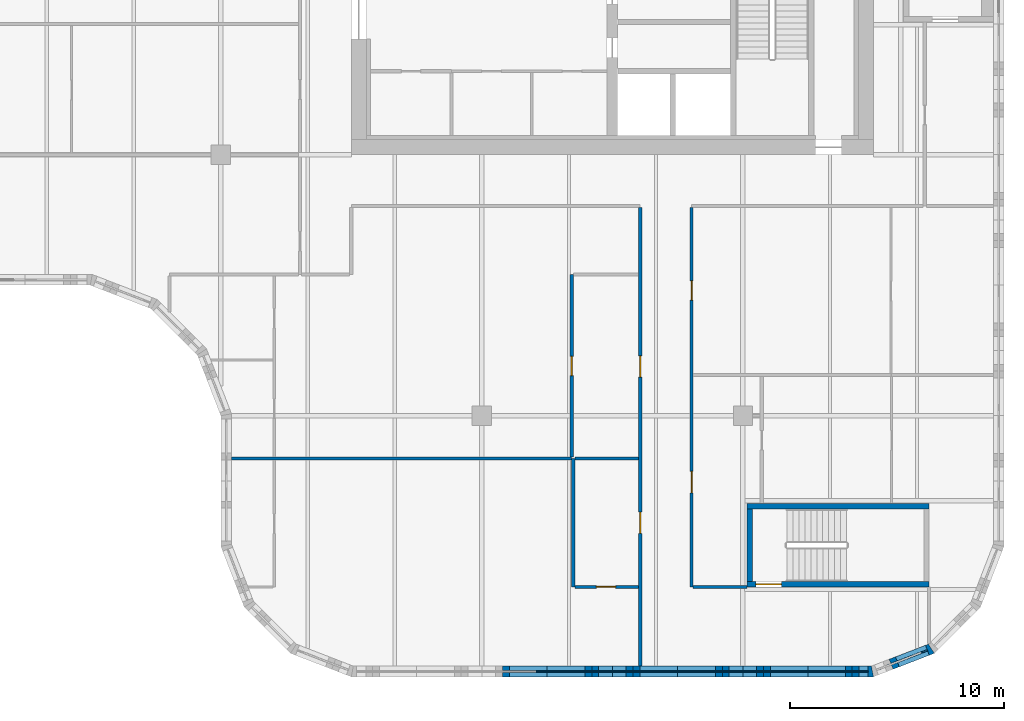
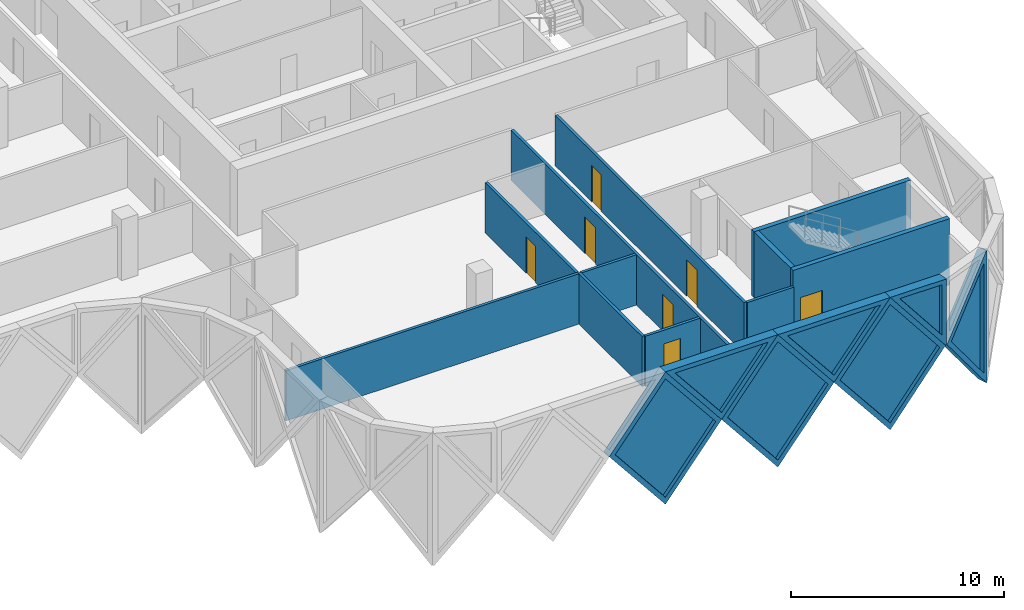
# One storey, part 6 of 15: 18 walls, 7 doors, 7 plates, 14 openings.
"""IFC4 building model written with IfcOpenShell, lengths in metres."""

from ifc_helpers import new_model, si_unit, direction, frame, frame_2d, origin, place, context, subcontext, project, spatial, polyline, rectangle, outline, extrude, faceted_brep, source, transform, mapped, material, layer, layer_set, type_object, element, fill, save


model = new_model("IFC4")

# Units and contexts
model_context = context("Model", 3, precision=1e-05, world=origin(), true_north=direction((0.0, 1.0)))
body_context = subcontext(model_context, "Body", "Model", "MODEL_VIEW")
ifc_project = project(units=[si_unit("LENGTHUNIT", "METRE"), si_unit("AREAUNIT", "SQUARE_METRE"), si_unit("VOLUMEUNIT", "CUBIC_METRE"), si_unit("PLANEANGLEUNIT", "RADIAN"), si_unit("MASSUNIT", "GRAM", prefix="KILO")], contexts=[model_context])

# Site, building, storey
site_placement = place(None, origin())
site = spatial("IfcSite", under=ifc_project, at=site_placement, CompositionType="ELEMENT")
building_placement = place(site_placement, origin())
building = spatial("IfcBuilding", under=site, at=building_placement, Name="Tessera Gate Towers", CompositionType="ELEMENT")
storey_placement = place(building_placement, frame((0.0, 0.0, 146.800048828125)))
storey = spatial("IfcBuildingStorey", under=building, at=storey_placement, Name="L36", CompositionType="ELEMENT", Elevation=146.800048828125)

# Wall, opening, door
ifc_material_1 = material(Name="Concrete C40/50", Category="concrete")
ifc_layer_1 = layer(ifc_material_1, 0.25)
ifc_layer_set_1 = layer_set([ifc_layer_1], Name="CORE ENCLOSURE WALL 250")
wall_type_1 = type_object("IfcWallType", Name="CORE ENCLOSURE WALL 250", PredefinedType="SOLIDWALL", material=ifc_layer_set_1)
wall_1_placement = place(storey_placement, frame((57.5, 4.324951171875, 0.0), z_axis=(0.0, 0.0, 1.0), x_axis=(-1.0, 0.0, 0.0)))
wall_1 = element("IfcWall", 1, at=wall_1_placement, inside=storey, type_object=wall_type_1, Name="L36 ST4 enclosure wall", PredefinedType="SOLIDWALL", context=body_context, shape_type="SweptSolid", body=[
    extrude(rectangle(XDim=8.5, YDim=0.25, at=frame_2d((4.25, 0.0))), origin(), (0.0, 0.0, 1.0), 3.800048828125),
])
shared_shape_1 = source(origin(), body_context, "Body", "SweptSolid", [
    extrude(rectangle(XDim=1.199951171875, YDim=2.10009765625, at=frame_2d((0.60009765625, 1.050048828125))), frame((0.0, 0.135009765625, 0.0), z_axis=(0.0, -1.0, 0.0), x_axis=(1.0, 0.0, 0.0)), (0.0, 0.0, 1.0), 0.27001953125),
])
opening_1_placement = place(wall_1_placement, frame((6.89990234375, 0.0, 0.0)))
opening_1 = element("IfcOpeningElement", 2, at=opening_1_placement, cuts=wall_1, Name="Opening SD-ST4-1", PredefinedType="OPENING", context=body_context, shape_type="MappedRepresentation", body=[
    mapped(shared_shape_1, transform((0.0, 0.0, 0.0), scale=1.0)),
])
ifc_material_2 = material(Name="Hollow steel fire door", Category="steel")
door_type_1 = type_object("IfcDoorType", Name="CORE DOOR SD 1200x2100", OperationType="NOTDEFINED", PredefinedType="DOOR", material=ifc_material_2)
shared_shape_2 = source(origin(), body_context, "Body", "SweptSolid", [
    extrude(rectangle(XDim=1.199951171875, YDim=2.10009765625, at=frame_2d((0.60009765625, 1.050048828125))), frame((0.0, 0.02490234375, 0.0), z_axis=(0.0, -1.0, 0.0), x_axis=(1.0, 0.0, 0.0)), (0.0, 0.0, 1.0), 0.050048828125),
])
door_1_placement = place(opening_1_placement, origin())
door_1 = element("IfcDoor", 3, at=door_1_placement, inside=storey, type_object=door_type_1, Name="Stair door", OperationType="SINGLE_SWING_RIGHT", OverallHeight=2.10009765625, OverallWidth=1.199951171875, PredefinedType="DOOR", context=body_context, shape_type="MappedRepresentation", body=[
    mapped(shared_shape_2, transform((0.0, 0.0, 0.0), scale=1.0)),
])
fill(opening_1, door_1)

# Walls
wall_2_placement = place(storey_placement, frame((49.125, 4.449951171875, 0.0), z_axis=(0.0, 0.0, 1.0), x_axis=(0.0, 1.0, 0.0)))
element("IfcWall", 4, at=wall_2_placement, inside=storey, type_object=wall_type_1, Name="L36 ST4 enclosure wall", PredefinedType="SOLIDWALL", context=body_context, shape_type="SweptSolid", body=[
    extrude(rectangle(XDim=3.400146484375, YDim=0.25, at=frame_2d((1.7001953125, 0.0))), origin(), (0.0, 0.0, 1.0), 3.800048828125),
])
wall_3_placement = place(storey_placement, frame((49.0, 7.97509765625, 0.0), z_axis=(0.0, 0.0, 1.0), x_axis=(1.0, 0.0, 0.0)))
element("IfcWall", 5, at=wall_3_placement, inside=storey, type_object=wall_type_1, Name="L36 ST4 enclosure wall", PredefinedType="SOLIDWALL", context=body_context, shape_type="SweptSolid", body=[
    extrude(rectangle(XDim=8.5, YDim=0.25, at=frame_2d((4.25, 0.0))), origin(), (0.0, 0.0, 1.0), 3.800048828125),
])

# Wall, openings, doors
ifc_material_3 = material(Name="Gypsum board on steel studs, mineral wool", Category="steel")
ifc_layer_2 = layer(ifc_material_3, 0.14990234375)
ifc_layer_set_2 = layer_set([ifc_layer_2], Name="CORRIDOR WALL 150")
wall_type_2 = type_object("IfcWallType", Name="CORRIDOR WALL 150", PredefinedType="PARTITIONING", material=ifc_layer_set_2)
wall_4_placement = place(storey_placement, frame((44.0, 0.5, 0.0), z_axis=(0.0, 0.0, 1.0), x_axis=(0.0, 1.0, 0.0)))
wall_4 = element("IfcWall", 6, at=wall_4_placement, inside=storey, type_object=wall_type_2, Name="T1-L36-PW-001", PredefinedType="PARTITIONING", context=body_context, shape_type="SweptSolid", body=[
    extrude(rectangle(XDim=21.424072265625, YDim=0.14990234375, at=frame_2d((10.7119140625, 0.0))), origin(), (0.0, 0.0, 1.0), 2.887939453125),
])
shared_shape_3 = source(origin(), body_context, "Body", "SweptSolid", [
    extrude(rectangle(XDim=1.0, YDim=2.10009765625, at=frame_2d((0.5, 1.050048828125))), frame((0.0, 0.0849609375, 0.0), z_axis=(0.0, -1.0, 0.0), x_axis=(1.0, 0.0, 0.0)), (0.0, 0.0, 1.0), 0.169921875),
])
opening_2_placement = place(wall_4_placement, frame((6.199951171875, 0.0, 0.0)))
opening_2 = element("IfcOpeningElement", 7, at=opening_2_placement, cuts=wall_4, Name="Opening D2100FD60-A13-02", PredefinedType="OPENING", context=body_context, shape_type="MappedRepresentation", body=[
    mapped(shared_shape_3, transform((0.0, 0.0, 0.0), scale=1.0)),
])
opening_3_placement = place(wall_4_placement, frame((13.5, 0.0, 0.0)))
opening_3 = element("IfcOpeningElement", 8, at=opening_3_placement, cuts=wall_4, Name="Opening D2100FD60-A13-05", PredefinedType="OPENING", context=body_context, shape_type="MappedRepresentation", body=[
    mapped(shared_shape_3, transform((0.0, 0.0, 0.0), scale=1.0)),
])
ifc_material_4 = material(Name="Timber door leaf in steel frame", Category="steel")
door_type_2 = type_object("IfcDoorType", Name="TENANCY ENTRANCE DOOR 1000 FD60", OperationType="NOTDEFINED", PredefinedType="DOOR", material=ifc_material_4)
shared_shape_4 = source(origin(), body_context, "Body", "SweptSolid", [
    extrude(rectangle(XDim=1.0, YDim=2.10009765625, at=frame_2d((0.5, 1.050048828125))), frame((0.0, 0.02490234375, 0.0), z_axis=(0.0, -1.0, 0.0), x_axis=(1.0, 0.0, 0.0)), (0.0, 0.0, 1.0), 0.050048828125),
])
door_2_placement = place(opening_2_placement, origin())
door_2 = element("IfcDoor", 9, at=door_2_placement, inside=storey, type_object=door_type_2, Name="T1-L36-PD-014", OperationType="SINGLE_SWING_LEFT", OverallHeight=2.10009765625, OverallWidth=1.0, PredefinedType="DOOR", context=body_context, shape_type="MappedRepresentation", body=[
    mapped(shared_shape_4, transform((0.0, 0.0, 0.0), scale=1.0)),
])
fill(opening_2, door_2)
door_3_placement = place(opening_3_placement, origin())
door_3 = element("IfcDoor", 10, at=door_3_placement, inside=storey, type_object=door_type_2, Name="T1-L36-PD-022", OperationType="SINGLE_SWING_LEFT", OverallHeight=2.10009765625, OverallWidth=1.0, PredefinedType="DOOR", context=body_context, shape_type="MappedRepresentation", body=[
    mapped(shared_shape_4, transform((0.0, 0.0, 0.0), scale=1.0)),
])
fill(opening_3, door_3)

wall_5_placement = place(storey_placement, frame((46.39990234375, 21.924072265625, 0.0), z_axis=(0.0, 0.0, 1.0), x_axis=(0.0, -1.0, 0.0)))
wall_5 = element("IfcWall", 11, at=wall_5_placement, inside=storey, type_object=wall_type_2, Name="T1-L36-PW-007", PredefinedType="PARTITIONING", context=body_context, shape_type="SweptSolid", body=[
    extrude(rectangle(XDim=17.72412109375, YDim=0.14990234375, at=frame_2d((8.862060546875, 0.0))), origin(), (0.0, 0.0, 1.0), 2.887939453125),
])
shared_shape_5 = source(origin(), body_context, "Body", "SweptSolid", [
    extrude(rectangle(XDim=0.89990234375, YDim=2.10009765625, at=frame_2d((0.449951171875, 1.050048828125))), frame((0.0, 0.0849609375, 0.0), z_axis=(0.0, -1.0, 0.0), x_axis=(1.0, 0.0, 0.0)), (0.0, 0.0, 1.0), 0.169921875),
])
opening_4_placement = place(wall_5_placement, frame((3.423095703125, 0.0, 0.0)))
opening_4 = element("IfcOpeningElement", 12, at=opening_4_placement, cuts=wall_5, Name="Opening D890FD60-A13-03", PredefinedType="OPENING", context=body_context, shape_type="MappedRepresentation", body=[
    mapped(shared_shape_5, transform((0.0, 0.0, 0.0), scale=1.0)),
])
opening_5_placement = place(wall_5_placement, frame((12.323974609375, 0.0, 0.0)))
opening_5 = element("IfcOpeningElement", 13, at=opening_5_placement, cuts=wall_5, Name="Opening D2100FD60-A13-06", PredefinedType="OPENING", context=body_context, shape_type="MappedRepresentation", body=[
    mapped(shared_shape_3, transform((0.0, 0.0, 0.0), scale=1.0)),
])
ifc_material_5 = material(Name="Timber door leaf in steel frame", Category="steel")
door_type_3 = type_object("IfcDoorType", Name="CORRIDOR DOOR 900 FD60", OperationType="NOTDEFINED", PredefinedType="DOOR", material=ifc_material_5)
shared_shape_6 = source(origin(), body_context, "Body", "SweptSolid", [
    extrude(rectangle(XDim=0.89990234375, YDim=2.10009765625, at=frame_2d((0.449951171875, 1.050048828125))), frame((0.0, 0.02490234375, 0.0), z_axis=(0.0, -1.0, 0.0), x_axis=(1.0, 0.0, 0.0)), (0.0, 0.0, 1.0), 0.050048828125),
])
door_4_placement = place(opening_4_placement, origin())
door_4 = element("IfcDoor", 14, at=door_4_placement, inside=storey, type_object=door_type_3, Name="T1-L36-PD-019", OperationType="SINGLE_SWING_RIGHT", OverallHeight=2.10009765625, OverallWidth=0.89990234375, PredefinedType="DOOR", context=body_context, shape_type="MappedRepresentation", body=[
    mapped(shared_shape_6, transform((0.0, 0.0, 0.0), scale=1.0)),
])
fill(opening_4, door_4)
door_5_placement = place(opening_5_placement, origin())
door_5 = element("IfcDoor", 15, at=door_5_placement, inside=storey, type_object=door_type_2, Name="T1-L36-PD-025", OperationType="SINGLE_SWING_RIGHT", OverallHeight=2.10009765625, OverallWidth=1.0, PredefinedType="DOOR", context=body_context, shape_type="MappedRepresentation", body=[
    mapped(shared_shape_4, transform((0.0, 0.0, 0.0), scale=1.0)),
])
fill(opening_5, door_5)

# Walls
wall_6_placement = place(storey_placement, frame((46.47607421875, 4.199951171875, 0.0), z_axis=(0.0, 0.0, 1.0), x_axis=(1.0, 0.0, 0.0)))
element("IfcWall", 16, at=wall_6_placement, inside=storey, type_object=wall_type_2, Name="T1-L36-PW-008", PredefinedType="PARTITIONING", context=body_context, shape_type="SweptSolid", body=[
    extrude(rectangle(XDim=2.52392578125, YDim=0.14990234375, at=frame_2d((1.261962890625, 0.0))), origin(), (0.0, 0.0, 1.0), 2.887939453125),
])
ifc_material_6 = material(Name="Gypsum board on steel studs, mineral wool", Category="steel")
ifc_layer_3 = layer(ifc_material_6, 0.14990234375)
ifc_layer_set_3 = layer_set([ifc_layer_3], Name="TENANCY WALL 150")
wall_type_3 = type_object("IfcWallType", Name="TENANCY WALL 150", PredefinedType="PARTITIONING", material=ifc_layer_set_3)
wall_7_placement = place(storey_placement, frame((40.875, 4.199951171875, 0.0), z_axis=(0.0, 0.0, 1.0), x_axis=(0.0, 1.0, 0.0)))
element("IfcWall", 17, at=wall_7_placement, inside=storey, type_object=wall_type_3, Name="T1-L36-PW-005", PredefinedType="PARTITIONING", context=body_context, shape_type="SweptSolid", body=[
    extrude(rectangle(XDim=6.0, YDim=0.14990234375, at=frame_2d((3.0, 0.0))), origin(), (0.0, 0.0, 1.0), 2.887939453125),
])

# Wall, opening, door
wall_8_placement = place(storey_placement, frame((43.924072265625, 4.199951171875, 0.0), z_axis=(0.0, 0.0, 1.0), x_axis=(-1.0, 0.0, 0.0)))
wall_8 = element("IfcWall", 18, at=wall_8_placement, inside=storey, type_object=wall_type_3, Name="T1-L36-PW-006", PredefinedType="PARTITIONING", context=body_context, shape_type="SweptSolid", body=[
    extrude(rectangle(XDim=2.97314453125, YDim=0.14990234375, at=frame_2d((1.486572265625, 0.0))), origin(), (0.0, 0.0, 1.0), 2.887939453125),
])
opening_6_placement = place(wall_8_placement, frame((1.072998046875, 0.0, 0.0)))
opening_6 = element("IfcOpeningElement", 19, at=opening_6_placement, cuts=wall_8, Name="Opening D190-A13-10", PredefinedType="OPENING", context=body_context, shape_type="MappedRepresentation", body=[
    mapped(shared_shape_5, transform((0.0, 0.0, 0.0), scale=1.0)),
])
ifc_material_7 = material(Name="Timber door leaf in steel frame", Category="steel")
door_type_4 = type_object("IfcDoorType", Name="INTERNAL DOOR 900 NOT RATED", OperationType="NOTDEFINED", PredefinedType="DOOR", material=ifc_material_7)
door_6_placement = place(opening_6_placement, origin())
door_6 = element("IfcDoor", 20, at=door_6_placement, inside=storey, type_object=door_type_4, Name="T1-L36-PD-023", OperationType="SINGLE_SWING_RIGHT", OverallHeight=2.10009765625, OverallWidth=0.89990234375, PredefinedType="DOOR", context=body_context, shape_type="MappedRepresentation", body=[
    mapped(shared_shape_6, transform((0.0, 0.0, 0.0), scale=1.0)),
])
fill(opening_6, door_6)

# Walls
wall_9_placement = place(storey_placement, frame((24.89990234375, 10.199951171875, 0.0), z_axis=(0.0, 0.0, 1.0), x_axis=(1.0, 0.0, 0.0)))
element("IfcWall", 21, at=wall_9_placement, inside=storey, type_object=wall_type_3, Name="T1-L36-PW-011", PredefinedType="PARTITIONING", context=body_context, shape_type="SweptSolid", body=[
    extrude(rectangle(XDim=15.900146484375, YDim=0.14990234375, at=frame_2d((7.9501953125, 0.0))), origin(), (0.0, 0.0, 1.0), 2.887939453125),
])
wall_10_placement = place(storey_placement, frame((40.950927734375, 10.199951171875, 0.0), z_axis=(0.0, 0.0, 1.0), x_axis=(1.0, 0.0, 0.0)))
element("IfcWall", 22, at=wall_10_placement, inside=storey, type_object=wall_type_3, Name="T1-L36-PW-012", PredefinedType="PARTITIONING", context=body_context, shape_type="SweptSolid", body=[
    extrude(rectangle(XDim=2.97314453125, YDim=0.14990234375, at=frame_2d((1.486572265625, 0.0))), origin(), (0.0, 0.0, 1.0), 2.887939453125),
])

# Wall, opening, door
wall_11_placement = place(storey_placement, frame((40.800048828125, 10.27587890625, 0.0), z_axis=(0.0, 0.0, 1.0), x_axis=(0.0, 1.0, 0.0)))
wall_11 = element("IfcWall", 23, at=wall_11_placement, inside=storey, type_object=wall_type_3, Name="T1-L36-PW-014", PredefinedType="PARTITIONING", context=body_context, shape_type="SweptSolid", body=[
    extrude(rectangle(XDim=8.524169921875, YDim=0.14990234375, at=frame_2d((4.26220703125, 0.0))), origin(), (0.0, 0.0, 1.0), 2.887939453125),
])
opening_7_placement = place(wall_11_placement, frame((3.800048828125, 0.0, 0.0)))
opening_7 = element("IfcOpeningElement", 24, at=opening_7_placement, cuts=wall_11, Name="Opening D190-A13-11", PredefinedType="OPENING", context=body_context, shape_type="MappedRepresentation", body=[
    mapped(shared_shape_5, transform((0.0, 0.0, 0.0), scale=1.0)),
])
door_7_placement = place(opening_7_placement, origin())
door_7 = element("IfcDoor", 25, at=door_7_placement, inside=storey, type_object=door_type_4, Name="T1-L36-PD-027", OperationType="SINGLE_SWING_LEFT", OverallHeight=2.10009765625, OverallWidth=0.89990234375, PredefinedType="DOOR", context=body_context, shape_type="MappedRepresentation", body=[
    mapped(shared_shape_6, transform((0.0, 0.0, 0.0), scale=1.0)),
])
fill(opening_7, door_7)

# Wall, opening, plate
ifc_material_8 = material(Name="Precast concrete C60/75 white", Category="concrete")
ifc_layer_4 = layer(ifc_material_8, 0.5)
ifc_layer_set_4 = layer_set([ifc_layer_4], Name="TS1 tessera")
wall_type_4 = type_object("IfcWallType", Name="TS1 tessera", PredefinedType="SOLIDWALL", material=ifc_layer_set_4)
shared_shape_7 = source(origin(), body_context, "Body", "Brep", [
    faceted_brep([(3.050048828125, -0.25, 0.0), (6.099853515625, -0.25, 3.7998046875), (6.099853515625, -0.25, 3.80029296875), (3.050048828125, -0.25, 7.60009765625), (0.0, -0.25, 3.800048828125), (0.0, 0.25, 3.800048828125), (3.050048828125, 0.25, 7.60009765625), (6.099853515625, 0.25, 3.80029296875), (6.099853515625, 0.25, 3.7998046875), (3.050048828125, 0.25, 0.0)], [[[0, 1, 2, 3, 4]], [[5, 6, 7, 8, 9]], [[9, 8, 1, 0]], [[7, 6, 3, 2]], [[6, 5, 4, 3]], [[5, 9, 0, 4]], [[1, 8, 7, 2]]]),
])
wall_12_placement = place(storey_placement, frame((36.60009765625, 0.25, -3.800048828125), z_axis=(0.0, 0.0, 1.0), x_axis=(1.0, 0.0, 0.0)))
wall_12 = element("IfcWall", 26, at=wall_12_placement, inside=storey, type_object=wall_type_4, Name="Precast tessera T1 TS1-0622", PredefinedType="SOLIDWALL", context=body_context, shape_type="MappedRepresentation", body=[
    mapped(shared_shape_7, transform((0.0, 0.0, 0.0), scale=1.0)),
])
shared_shape_8 = source(origin(), body_context, "Body", "SweptSolid", [
    extrude(outline(polyline([(3.050048828125, 0.3994140625), (5.779541015625, 3.800048828125), (3.050048828125, 7.20068359375), (0.320556640625, 3.800048828125), (3.050048828125, 0.3994140625)])), frame((0.0, 0.260009765625, 0.0), z_axis=(0.0, -1.0, 0.0), x_axis=(1.0, 0.0, 0.0)), (0.0, 0.0, 1.0), 0.52001953125),
])
opening_8_placement = place(wall_12_placement, origin())
opening_8 = element("IfcOpeningElement", 27, at=opening_8_placement, cuts=wall_12, Name="Opening T1-PL2-1270", PredefinedType="OPENING", context=body_context, shape_type="MappedRepresentation", body=[
    mapped(shared_shape_8, transform((0.0, 0.0, 0.0), scale=1.0)),
])
ifc_material_9 = material(Name="Low-e laminated glass", Category="glass")
ifc_layer_5 = layer(ifc_material_9, 0.06005859375)
ifc_layer_set_5 = layer_set([ifc_layer_5], Name="PL2 rhombic pane")
plate_type_1 = type_object("IfcPlateType", Name="PL2 rhombic pane", PredefinedType="SHEET", material=ifc_layer_set_5)
shared_shape_9 = source(origin(), body_context, "Body", "SweptSolid", [
    extrude(outline(polyline([(3.050048828125, 0.3994140625), (5.779541015625, 3.800048828125), (3.050048828125, 7.20068359375), (0.320556640625, 3.800048828125), (3.050048828125, 0.3994140625)])), frame((0.0, 0.030029296875, 0.0), z_axis=(0.0, -1.0, 0.0), x_axis=(1.0, 0.0, 0.0)), (0.0, 0.0, 1.0), 0.06005859375),
])
plate_1_placement = place(opening_8_placement, origin())
plate_1 = element("IfcPlate", 28, at=plate_1_placement, inside=storey, type_object=plate_type_1, Name="Glass pane T1 PL2-1270", PredefinedType="SHEET", context=body_context, shape_type="MappedRepresentation", body=[
    mapped(shared_shape_9, transform((0.0, 0.0, 0.0), scale=1.0)),
])
fill(opening_8, plate_1)

shared_shape_10 = source(origin(), body_context, "Body", "SweptSolid", [
    extrude(outline(polyline([(3.050048828125, 0.0), (6.10009765625, 3.800048828125), (3.050048828125, 7.60009765625), (0.0, 3.800048828125), (3.050048828125, 0.0)])), frame((0.0, 0.25, 0.0), z_axis=(0.0, -1.0, 0.0), x_axis=(1.0, 0.0, 0.0)), (0.0, 0.0, 1.0), 0.5),
])
wall_13_placement = place(storey_placement, frame((42.699951171875, 0.25, -3.800048828125), z_axis=(0.0, 0.0, 1.0), x_axis=(1.0, 0.0, 0.0)))
wall_13 = element("IfcWall", 29, at=wall_13_placement, inside=storey, type_object=wall_type_4, Name="Precast tessera T1 TS1-0623", PredefinedType="SOLIDWALL", context=body_context, shape_type="MappedRepresentation", body=[
    mapped(shared_shape_10, transform((0.0, 0.0, 0.0), scale=1.0)),
])
opening_9_placement = place(wall_13_placement, origin())
opening_9 = element("IfcOpeningElement", 30, at=opening_9_placement, cuts=wall_13, Name="Opening T1-PL2-1271", PredefinedType="OPENING", context=body_context, shape_type="MappedRepresentation", body=[
    mapped(shared_shape_8, transform((0.0, 0.0, 0.0), scale=1.0)),
])
plate_2_placement = place(opening_9_placement, origin())
plate_2 = element("IfcPlate", 31, at=plate_2_placement, inside=storey, type_object=plate_type_1, Name="Glass pane T1 PL2-1271", PredefinedType="SHEET", context=body_context, shape_type="MappedRepresentation", body=[
    mapped(shared_shape_9, transform((0.0, 0.0, 0.0), scale=1.0)),
])
fill(opening_9, plate_2)

shared_shape_11 = source(origin(), body_context, "Body", "Brep", [
    faceted_brep([(3.050048828125, -0.25, 0.0), (6.053466796875, -0.25, 3.800048828125), (3.050048828125, -0.25, 7.60009765625), (0.0, -0.25, 3.800048828125), (0.0, 0.25, 3.800048828125), (3.050048828125, 0.25, 7.60009765625), (6.0068359375, 0.25, 3.85888671875), (6.0068359375, 0.25, 3.7412109375), (3.050048828125, 0.25, 0.0), (6.053466796875, 0.0, 3.800048828125)], [[[0, 1, 2, 3]], [[4, 5, 6, 7, 8]], [[8, 7, 9, 1, 0]], [[6, 5, 2, 1, 9]], [[5, 4, 3, 2]], [[4, 8, 0, 3]], [[9, 7, 6]]]),
])
wall_14_placement = place(storey_placement, frame((48.800048828125, 0.25, -3.800048828125), z_axis=(0.0, 0.0, 1.0), x_axis=(1.0, 0.0, 0.0)))
wall_14 = element("IfcWall", 32, at=wall_14_placement, inside=storey, type_object=wall_type_4, Name="Precast tessera T1 TS1-0624", PredefinedType="SOLIDWALL", context=body_context, shape_type="MappedRepresentation", body=[
    mapped(shared_shape_11, transform((0.0, 0.0, 0.0), scale=1.0)),
])
shared_shape_12 = source(origin(), body_context, "Body", "SweptSolid", [
    extrude(outline(polyline([(3.048583984375, 0.4013671875), (5.73486328125, 3.800048828125), (3.048583984375, 7.19873046875), (0.320556640625, 3.800048828125), (3.048583984375, 0.4013671875)])), frame((0.0, 0.260009765625, 0.0), z_axis=(0.0, -1.0, 0.0), x_axis=(1.0, 0.0, 0.0)), (0.0, 0.0, 1.0), 0.52001953125),
])
opening_10_placement = place(wall_14_placement, origin())
opening_10 = element("IfcOpeningElement", 33, at=opening_10_placement, cuts=wall_14, Name="Opening T1-PL2-1272", PredefinedType="OPENING", context=body_context, shape_type="MappedRepresentation", body=[
    mapped(shared_shape_12, transform((0.0, 0.0, 0.0), scale=1.0)),
])
shared_shape_13 = source(origin(), body_context, "Body", "SweptSolid", [
    extrude(outline(polyline([(3.048583984375, 0.4013671875), (5.73486328125, 3.800048828125), (3.048583984375, 7.19873046875), (0.320556640625, 3.800048828125), (3.048583984375, 0.4013671875)])), frame((0.0, 0.030029296875, 0.0), z_axis=(0.0, -1.0, 0.0), x_axis=(1.0, 0.0, 0.0)), (0.0, 0.0, 1.0), 0.06005859375),
])
plate_3_placement = place(opening_10_placement, origin())
plate_3 = element("IfcPlate", 34, at=plate_3_placement, inside=storey, type_object=plate_type_1, Name="Glass pane T1 PL2-1272", PredefinedType="SHEET", context=body_context, shape_type="MappedRepresentation", body=[
    mapped(shared_shape_13, transform((0.0, 0.0, 0.0), scale=1.0)),
])
fill(opening_10, plate_3)

ifc_material_10 = material(Name="Precast concrete C60/75 white", Category="concrete")
ifc_layer_6 = layer(ifc_material_10, 0.5)
ifc_layer_set_6 = layer_set([ifc_layer_6], Name="TS3 corner tessera")
wall_type_5 = type_object("IfcWallType", Name="TS3 corner tessera", PredefinedType="SOLIDWALL", material=ifc_layer_set_6)
shared_shape_14 = source(origin(), body_context, "Body", "Brep", [
    faceted_brep([(2.950439453125, -0.25, 0.0), (3.00341796875, -0.25, 0.068359375), (3.00341796875, -0.25, 7.53173828125), (2.950439453125, -0.25, 7.60009765625), (0.0, -0.25, 3.800048828125), (0.046630859375, 0.25, 3.860107421875), (2.897705078125, 0.25, 7.531982421875), (2.897705078125, 0.25, 0.068115234375), (0.046630859375, 0.25, 3.739990234375), (2.950439453125, 0.00048828125, 0.0), (2.950439453125, 0.00048828125, 7.60009765625), (0.0, 0.0, 3.800048828125)], [[[0, 1, 2, 3, 4]], [[5, 6, 7, 8]], [[1, 0, 9]], [[10, 3, 2]], [[6, 5, 11, 4, 3, 10]], [[8, 7, 9, 0, 4, 11]], [[8, 11, 5]], [[1, 9, 7, 6, 10, 2]]]),
])
wall_15_placement = place(storey_placement, frame((54.853515625, 0.25, -3.800048828125), z_axis=(0.0, 0.0, 1.0), x_axis=(0.932970071518, 0.359953949349, 0.0)))
wall_15 = element("IfcWall", 35, at=wall_15_placement, inside=storey, type_object=wall_type_5, Name="Precast corner tessera T1 TS3-0817", PredefinedType="SOLIDWALL", context=body_context, shape_type="MappedRepresentation", body=[
    mapped(shared_shape_14, transform((0.0, 0.0, 0.0), scale=1.0)),
])
shared_shape_15 = source(origin(), body_context, "Body", "SweptSolid", [
    extrude(outline(polyline([(2.75048828125, 6.934814453125), (0.31640625, 3.800048828125), (2.75048828125, 0.665283203125), (2.75048828125, 6.934814453125)])), frame((0.0, 0.260009765625, 0.0), z_axis=(0.0, -1.0, 0.0), x_axis=(1.0, 0.0, 0.0)), (0.0, 0.0, 1.0), 0.52001953125),
])
opening_11_placement = place(wall_15_placement, origin())
opening_11 = element("IfcOpeningElement", 36, at=opening_11_placement, cuts=wall_15, Name="Opening T1-PL2-1273", PredefinedType="OPENING", context=body_context, shape_type="MappedRepresentation", body=[
    mapped(shared_shape_15, transform((0.0, 0.0, 0.0), scale=1.0)),
])
shared_shape_16 = source(origin(), body_context, "Body", "SweptSolid", [
    extrude(outline(polyline([(2.75048828125, 6.934814453125), (0.31640625, 3.800048828125), (2.75048828125, 0.665283203125), (2.75048828125, 6.934814453125)])), frame((0.0, 0.030029296875, 0.0), z_axis=(0.0, -1.0, 0.0), x_axis=(1.0, 0.0, 0.0)), (0.0, 0.0, 1.0), 0.06005859375),
])
plate_4_placement = place(opening_11_placement, origin())
plate_4 = element("IfcPlate", 37, at=plate_4_placement, inside=storey, type_object=plate_type_1, Name="Glass pane T1 PL2-1273", PredefinedType="SHEET", context=body_context, shape_type="MappedRepresentation", body=[
    mapped(shared_shape_16, transform((0.0, 0.0, 0.0), scale=1.0)),
])
fill(opening_11, plate_4)

ifc_material_11 = material(Name="Precast concrete C60/75 white", Category="concrete")
ifc_layer_7 = layer(ifc_material_11, 0.5)
ifc_layer_set_7 = layer_set([ifc_layer_7], Name="TS2 half tessera")
wall_type_6 = type_object("IfcWallType", Name="TS2 half tessera", PredefinedType="SOLIDWALL", material=ifc_layer_set_7)
shared_shape_17 = source(origin(), body_context, "Body", "SweptSolid", [
    extrude(outline(polyline([(3.050048828125, 0.0), (6.10009765625, 3.800048828125), (0.0, 3.800048828125), (3.050048828125, 0.0)])), frame((0.0, 0.25, 0.0), z_axis=(0.0, -1.0, 0.0), x_axis=(1.0, 0.0, 0.0)), (0.0, 0.0, 1.0), 0.5),
])
wall_16_placement = place(storey_placement, frame((39.64990234375, 0.25, 0.0), z_axis=(0.0, 0.0, 1.0), x_axis=(1.0, 0.0, 0.0)))
wall_16 = element("IfcWall", 38, at=wall_16_placement, inside=storey, type_object=wall_type_6, Name="Precast half tessera T1 TS2-0162", PredefinedType="SOLIDWALL", context=body_context, shape_type="MappedRepresentation", body=[
    mapped(shared_shape_17, transform((0.0, 0.0, 0.0), scale=1.0)),
])
shared_shape_18 = source(origin(), body_context, "Body", "SweptSolid", [
    extrude(outline(polyline([(3.050048828125, 0.3994140625), (5.578857421875, 3.550048828125), (0.521240234375, 3.550048828125), (3.050048828125, 0.3994140625)])), frame((0.0, 0.260009765625, 0.0), z_axis=(0.0, -1.0, 0.0), x_axis=(1.0, 0.0, 0.0)), (0.0, 0.0, 1.0), 0.52001953125),
])
opening_12_placement = place(wall_16_placement, origin())
opening_12 = element("IfcOpeningElement", 39, at=opening_12_placement, cuts=wall_16, Name="Opening T1-PL1-0332", PredefinedType="OPENING", context=body_context, shape_type="MappedRepresentation", body=[
    mapped(shared_shape_18, transform((0.0, 0.0, 0.0), scale=1.0)),
])
ifc_material_12 = material(Name="Low-e laminated glass", Category="glass")
ifc_layer_8 = layer(ifc_material_12, 0.06005859375)
ifc_layer_set_8 = layer_set([ifc_layer_8], Name="PL1 triangular pane")
plate_type_2 = type_object("IfcPlateType", Name="PL1 triangular pane", PredefinedType="SHEET", material=ifc_layer_set_8)
shared_shape_19 = source(origin(), body_context, "Body", "SweptSolid", [
    extrude(outline(polyline([(3.050048828125, 0.3994140625), (5.578857421875, 3.550048828125), (0.521240234375, 3.550048828125), (3.050048828125, 0.3994140625)])), frame((0.0, 0.030029296875, 0.0), z_axis=(0.0, -1.0, 0.0), x_axis=(1.0, 0.0, 0.0)), (0.0, 0.0, 1.0), 0.06005859375),
])
plate_5_placement = place(opening_12_placement, origin())
plate_5 = element("IfcPlate", 40, at=plate_5_placement, inside=storey, type_object=plate_type_2, Name="Glass pane T1 PL1-0332", PredefinedType="SHEET", context=body_context, shape_type="MappedRepresentation", body=[
    mapped(shared_shape_19, transform((0.0, 0.0, 0.0), scale=1.0)),
])
fill(opening_12, plate_5)

wall_17_placement = place(storey_placement, frame((45.75, 0.25, 0.0), z_axis=(0.0, 0.0, 1.0), x_axis=(1.0, 0.0, 0.0)))
wall_17 = element("IfcWall", 41, at=wall_17_placement, inside=storey, type_object=wall_type_6, Name="Precast half tessera T1 TS2-0163", PredefinedType="SOLIDWALL", context=body_context, shape_type="MappedRepresentation", body=[
    mapped(shared_shape_17, transform((0.0, 0.0, 0.0), scale=1.0)),
])
opening_13_placement = place(wall_17_placement, origin())
opening_13 = element("IfcOpeningElement", 42, at=opening_13_placement, cuts=wall_17, Name="Opening T1-PL1-0333", PredefinedType="OPENING", context=body_context, shape_type="MappedRepresentation", body=[
    mapped(shared_shape_18, transform((0.0, 0.0, 0.0), scale=1.0)),
])
plate_6_placement = place(opening_13_placement, origin())
plate_6 = element("IfcPlate", 43, at=plate_6_placement, inside=storey, type_object=plate_type_2, Name="Glass pane T1 PL1-0333", PredefinedType="SHEET", context=body_context, shape_type="MappedRepresentation", body=[
    mapped(shared_shape_19, transform((0.0, 0.0, 0.0), scale=1.0)),
])
fill(opening_13, plate_6)

shared_shape_20 = source(origin(), body_context, "Body", "Brep", [
    faceted_brep([(3.00341796875, -0.25, 0.0), (3.050048828125, -0.25, 0.06005859375), (3.050048828125, -0.25, 3.800048828125), (0.0, -0.25, 3.800048828125), (0.0, 0.25, 3.800048828125), (2.956787109375, 0.25, 3.800048828125), (2.956787109375, 0.25, 0.058837890625), (3.00341796875, 0.000244140625, 0.0)], [[[0, 1, 2, 3]], [[4, 5, 6]], [[1, 0, 7]], [[5, 4, 3, 2]], [[4, 6, 7, 0, 3]], [[1, 7, 6, 5, 2]]]),
])
wall_18_placement = place(storey_placement, frame((51.85009765625, 0.25, 0.0), z_axis=(0.0, 0.0, 1.0), x_axis=(1.0, 0.0, 0.0)))
wall_18 = element("IfcWall", 44, at=wall_18_placement, inside=storey, type_object=wall_type_5, Name="Precast corner tessera T1 TS3-0843", PredefinedType="SOLIDWALL", context=body_context, shape_type="MappedRepresentation", body=[
    mapped(shared_shape_20, transform((0.0, 0.0, 0.0), scale=1.0)),
])
shared_shape_21 = source(origin(), body_context, "Body", "SweptSolid", [
    extrude(outline(polyline([(2.803466796875, 3.550048828125), (0.516357421875, 3.550048828125), (2.803466796875, 0.65625), (2.803466796875, 3.550048828125)])), frame((0.0, 0.260009765625, 0.0), z_axis=(0.0, -1.0, 0.0), x_axis=(1.0, 0.0, 0.0)), (0.0, 0.0, 1.0), 0.52001953125),
])
opening_14_placement = place(wall_18_placement, origin())
opening_14 = element("IfcOpeningElement", 45, at=opening_14_placement, cuts=wall_18, Name="Opening T1-PL1-0334", PredefinedType="OPENING", context=body_context, shape_type="MappedRepresentation", body=[
    mapped(shared_shape_21, transform((0.0, 0.0, 0.0), scale=1.0)),
])
shared_shape_22 = source(origin(), body_context, "Body", "SweptSolid", [
    extrude(outline(polyline([(2.803466796875, 3.550048828125), (0.516357421875, 3.550048828125), (2.803466796875, 0.65625), (2.803466796875, 3.550048828125)])), frame((0.0, 0.030029296875, 0.0), z_axis=(0.0, -1.0, 0.0), x_axis=(1.0, 0.0, 0.0)), (0.0, 0.0, 1.0), 0.06005859375),
])
plate_7_placement = place(opening_14_placement, origin())
plate_7 = element("IfcPlate", 46, at=plate_7_placement, inside=storey, type_object=plate_type_2, Name="Glass pane T1 PL1-0334", PredefinedType="SHEET", context=body_context, shape_type="MappedRepresentation", body=[
    mapped(shared_shape_22, transform((0.0, 0.0, 0.0), scale=1.0)),
])
fill(opening_14, plate_7)

save(model, "model.ifc")
